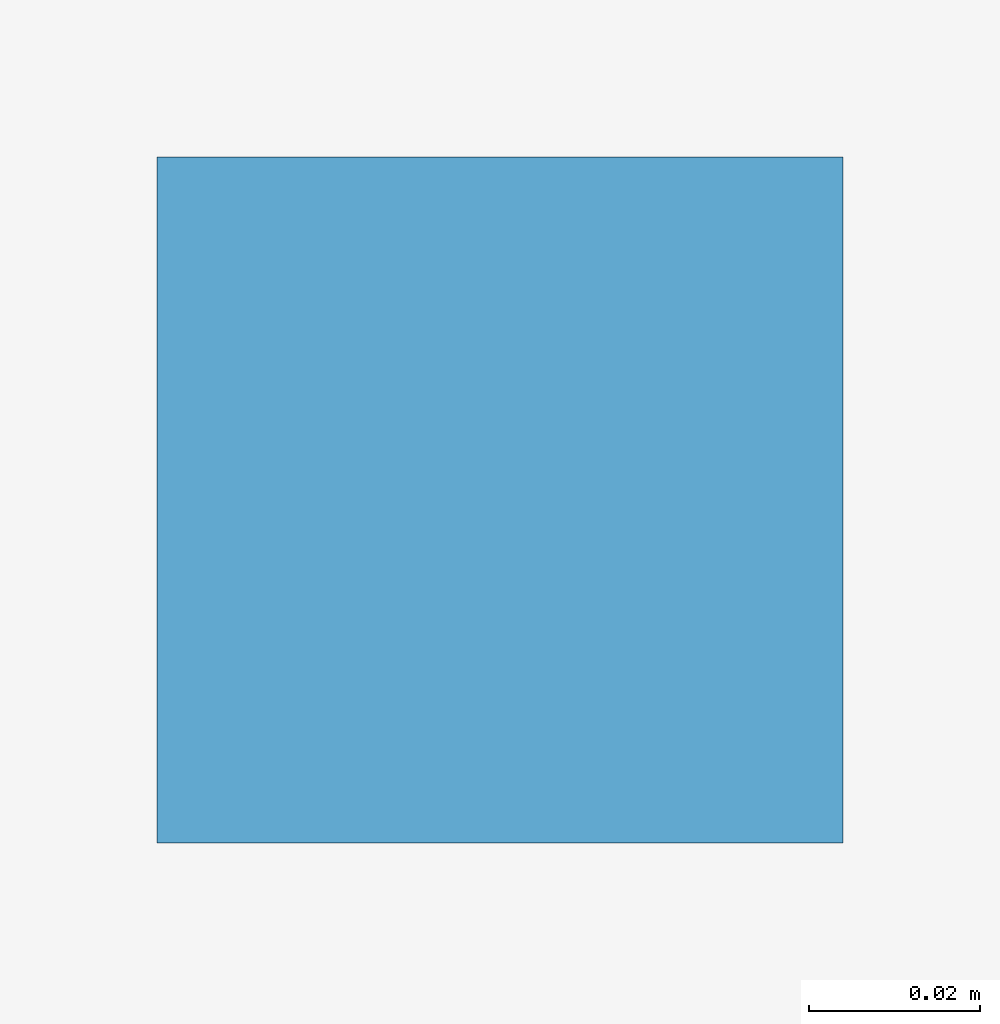
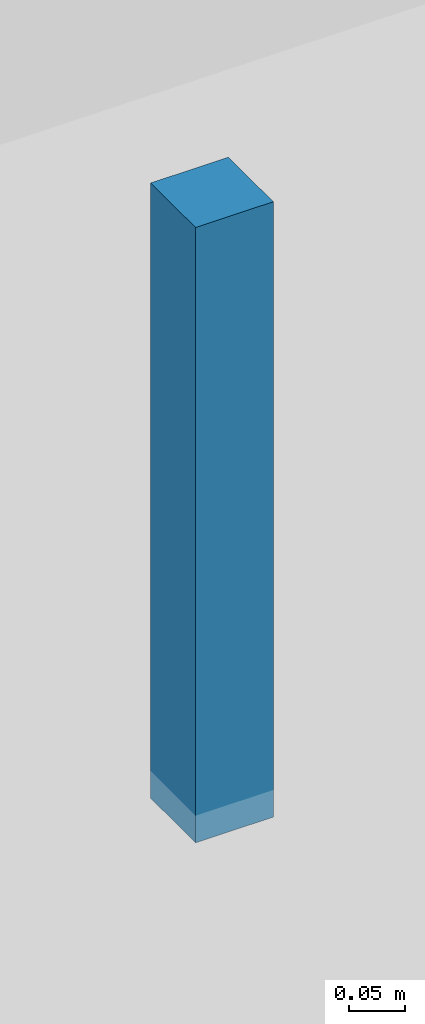
# One storey, part 11 of 16: 1 discrete accessory.
"""IFC4 building model written with IfcOpenShell, lengths in metres."""

import ifcopenshell
import ifcopenshell.guid

model = None  # the IFC model being written
_history = None  # IfcOwnerHistory: only IFC2X3 demands one
_inside = {}  # id of a spatial element -> (the spatial element, [elements in it])
_under = {}  # id of a project, library or spatial element -> (it, [spatial elements below it])
_declared = {}  # id of a project -> (the project, [libraries it declares])
_typed = {}  # id of a type object -> (the type object, [elements of that type])
_made_of = {}  # id of a material, layer set ... -> (it, [elements and type objects made of it])


def new_model(schema):
    """Start an empty IFC model of exactly this schema.

    Asked for "IFC4X3", IfcOpenShell would pick the latest addendum, in which some entities
    have other attributes; the version numbers below select the first issue.
    IFC2X3 requires an IfcOwnerHistory on every rooted entity: one is made here for all.
    """
    global model, _history
    if schema == "IFC4X3":
        model = ifcopenshell.file(schema_version=(4, 3, 0, 0))
    else:
        model = ifcopenshell.file(schema=schema)
    _inside.clear()
    _under.clear()
    _declared.clear()
    _typed.clear()
    _made_of.clear()
    _history = None
    if model.schema == "IFC2X3":
        org = make("IfcOrganization", Name="unknown")
        user = make(
            "IfcPersonAndOrganization",
            ThePerson=make("IfcPerson", FamilyName="unknown"),
            TheOrganization=org,
        )
        app = make(
            "IfcApplication",
            ApplicationDeveloper=org,
            Version="unknown",
            ApplicationFullName="unknown",
            ApplicationIdentifier="unknown",
        )
        _history = make(
            "IfcOwnerHistory",
            OwningUser=user,
            OwningApplication=app,
            ChangeAction="ADDED",
            CreationDate=0,
        )
    return model


def make(cls, **values):
    """One entity of the class cls with the attributes given. An attribute that is None is left unset."""
    return model.create_entity(
        cls, **{name: value for name, value in values.items() if value is not None}
    )


def rooted(cls, **values):
    """An entity with a GlobalId (a new one), such as an element, a storey or a relation."""
    return make(cls, GlobalId=ifcopenshell.guid.new(), OwnerHistory=_history, **values)


def si_unit(unit_type, name, prefix=None):
    """IfcSIUnit, for example si_unit("LENGTHUNIT", "METRE", prefix="MILLI")."""
    return make("IfcSIUnit", UnitType=unit_type, Prefix=prefix, Name=name)


def assignment(units):
    """IfcUnitAssignment: the units of a project."""
    return None if units is None else make("IfcUnitAssignment", Units=units)


def point(xyz):
    """IfcCartesianPoint."""
    return None if xyz is None else make("IfcCartesianPoint", Coordinates=xyz)


def direction(xyz):
    """IfcDirection."""
    return None if xyz is None else make("IfcDirection", DirectionRatios=xyz)


def frame(location, z_axis=None, x_axis=None):
    """IfcAxis2Placement3D, a coordinate frame: its origin and axes. An axis left out is left unset."""
    return make(
        "IfcAxis2Placement3D",
        Location=point(location),
        Axis=direction(z_axis),
        RefDirection=direction(x_axis),
    )


def frame_2d(location, x_axis=None):
    """IfcAxis2Placement2D, a coordinate frame in the plane: its origin and x axis."""
    return make(
        "IfcAxis2Placement2D", Location=point(location), RefDirection=direction(x_axis)
    )


def origin():
    """The frame at (0, 0, 0) with its axes left unset."""
    return frame((0.0, 0.0, 0.0))


def origin_2d():
    """The frame at (0, 0) in the plane with its x axis left unset."""
    return frame_2d((0.0, 0.0))


def place(relative_to, where):
    """IfcLocalPlacement: puts the frame where relative to a parent placement (None: the world)."""
    return make(
        "IfcLocalPlacement", PlacementRelTo=relative_to, RelativePlacement=where
    )


def context(
    kind, dimensions, precision=None, world=None, true_north=None, identifier=None
):
    """IfcGeometricRepresentationContext, for example the 3D "Model" context."""
    return make(
        "IfcGeometricRepresentationContext",
        ContextIdentifier=identifier,
        ContextType=kind,
        CoordinateSpaceDimension=dimensions,
        Precision=precision,
        WorldCoordinateSystem=world,
        TrueNorth=true_north,
    )


def subcontext(parent, identifier, kind, view, scale=None):
    """IfcGeometricRepresentationSubContext, for example "Body" below "Model"."""
    return make(
        "IfcGeometricRepresentationSubContext",
        ContextIdentifier=identifier,
        ContextType=kind,
        ParentContext=parent,
        TargetScale=scale,
        TargetView=view,
    )


def project(units=None, contexts=None):
    """IfcProject with its units and contexts."""
    return rooted(
        "IfcProject",
        Name="project",
        RepresentationContexts=contexts,
        UnitsInContext=assignment(units),
    )


def spatial(cls, under=None, at=None, **own):
    """A site, building, storey or space (cls), placed at a placement, below another one or the project."""
    s = rooted(cls, ObjectPlacement=at, **own)
    if under is not None:
        _under.setdefault(under.id(), (under, []))[1].append(s)
    return s


def profile(cls, at=None, kind="AREA", **sizes):
    """A parametric profile (cls). Its sizes go by their IFC names, for example OverallWidth=200.0."""
    return make(cls, ProfileType=kind, Position=at, **sizes)


def rectangle(**sizes):
    """IfcRectangleProfileDef."""
    return profile("IfcRectangleProfileDef", **sizes)


def extrude(swept, where, along, depth):
    """IfcExtrudedAreaSolid: the profile swept, set in the frame where, extruded along a direction by depth."""
    return make(
        "IfcExtrudedAreaSolid",
        SweptArea=swept,
        Position=where,
        ExtrudedDirection=direction(along),
        Depth=depth,
    )


def shape(context_of_items, identifier, shape_type, items):
    """IfcShapeRepresentation: the items that make up one representation, for example the "Body"."""
    return make(
        "IfcShapeRepresentation",
        ContextOfItems=context_of_items,
        RepresentationIdentifier=identifier,
        RepresentationType=shape_type,
        Items=items,
    )


def source(mapping_origin, context_of_items, identifier, shape_type, items):
    """IfcRepresentationMap: a shape defined once, which mapped items show again and again."""
    return make(
        "IfcRepresentationMap",
        MappingOrigin=mapping_origin,
        MappedRepresentation=shape(context_of_items, identifier, shape_type, items),
    )


def transform(
    local_origin,
    x_axis=None,
    y_axis=None,
    z_axis=None,
    scale=None,
    scale2=None,
    scale3=None,
    uniform=True,
):
    """IfcCartesianTransformationOperator3D, or its non-uniform kind. x_axis, y_axis, z_axis: its Axis1, 2, 3."""
    if uniform:
        return make(
            "IfcCartesianTransformationOperator3D",
            Axis1=direction(x_axis),
            Axis2=direction(y_axis),
            LocalOrigin=point(local_origin),
            Scale=scale,
            Axis3=direction(z_axis),
        )
    return make(
        "IfcCartesianTransformationOperator3DnonUniform",
        Axis1=direction(x_axis),
        Axis2=direction(y_axis),
        LocalOrigin=point(local_origin),
        Scale=scale,
        Axis3=direction(z_axis),
        Scale2=scale2,
        Scale3=scale3,
    )


def mapped(mapping_source, mapping_target):
    """IfcMappedItem: shows the shape of a source again, moved by a transform."""
    return make(
        "IfcMappedItem", MappingSource=mapping_source, MappingTarget=mapping_target
    )


def material(Name=None, Category=None):
    """IfcMaterial."""
    return make("IfcMaterial", Name=Name, Category=Category)


def made_of(thing, what):
    """Note that an element or type object is made of a material, layer set ...; save() writes the relation."""
    if what is not None:
        _made_of.setdefault(what.id(), (what, []))[1].append(thing)
    return thing


def type_object(cls, material=None, **own):
    """A type object (cls), such as IfcWallType, which elements share."""
    return made_of(rooted(cls, **own), material)


def element(
    cls,
    number,
    at=None,
    inside=None,
    cuts=None,
    type_object=None,
    material=None,
    context=None,
    identifier="Body",
    shape_type=None,
    held_by="IfcProductDefinitionShape",
    body=None,
    shapes=None,
    **own,
):
    """One element of the class cls, such as IfcWall. Its Tag is "e" and its number.

    at: its placement. inside: the storey or other place that contains it. cuts: it is an
    opening in that element (IfcRelVoidsElement). A single representation is given by context,
    identifier, shape_type and body (its items); several are given by shapes. held_by: the class
    of the entity that holds the representations. save() writes the other relations.
    """
    e = rooted(cls, Tag="e%d" % number, ObjectPlacement=at, **own)
    if body is not None:
        shapes = [shape(context, identifier, shape_type, body)]
    if shapes is not None:
        e.Representation = make(held_by, Representations=shapes)
    if inside is not None:
        _inside.setdefault(inside.id(), (inside, []))[1].append(e)
    if cuts is not None:
        rooted(
            "IfcRelVoidsElement", RelatingBuildingElement=cuts, RelatedOpeningElement=e
        )
    if type_object is not None:
        _typed.setdefault(type_object.id(), (type_object, []))[1].append(e)
    return made_of(e, material)


def aggregate(whole, parts):
    """IfcRelAggregates: a whole, such as a stair, and the parts it consists of."""
    return rooted("IfcRelAggregates", RelatingObject=whole, RelatedObjects=parts)


def save(model, path):
    """Write the relations noted so far, then the file.

    IfcRelAggregates (storeys below a building ...), IfcRelContainedInSpatialStructure (elements
    in a storey), IfcRelDefinesByType, IfcRelAssociatesMaterial and IfcRelDeclares: one each for
    every whole, place, type object, material and project.
    """
    for whole, parts in _under.values():
        aggregate(whole, parts)
    for where, things in _inside.values():
        rooted(
            "IfcRelContainedInSpatialStructure",
            RelatedElements=things,
            RelatingStructure=where,
        )
    for kind, things in _typed.values():
        rooted("IfcRelDefinesByType", RelatedObjects=things, RelatingType=kind)
    for what, things in _made_of.values():
        rooted("IfcRelAssociatesMaterial", RelatedObjects=things, RelatingMaterial=what)
    for by, libraries in _declared.values():
        rooted("IfcRelDeclares", RelatingContext=by, RelatedDefinitions=libraries)
    model.write(path)


model = new_model("IFC4")

# Units and contexts
model_context = context("Model", 3, precision=1e-05, world=origin(), true_north=direction((0.0, 1.0)))
body_context = subcontext(model_context, "Body", "Model", "MODEL_VIEW")
ifc_project = project(units=[si_unit("LENGTHUNIT", "METRE"), si_unit("AREAUNIT", "SQUARE_METRE"), si_unit("VOLUMEUNIT", "CUBIC_METRE"), si_unit("PLANEANGLEUNIT", "RADIAN"), si_unit("MASSUNIT", "GRAM", prefix="KILO")], contexts=[model_context])

# Site, building, storey
site_placement = place(None, origin())
site = spatial("IfcSite", under=ifc_project, at=site_placement, CompositionType="ELEMENT")
building_placement = place(site_placement, origin())
building = spatial("IfcBuilding", under=site, at=building_placement, Name="Giltprow Tower", CompositionType="ELEMENT")
storey_placement = place(building_placement, frame((0.0, 0.0, 166.699951171875)))
storey = spatial("IfcBuildingStorey", under=building, at=storey_placement, Name="L41", CompositionType="ELEMENT", Elevation=166.699951171875)

# Discrete accessory
ifc_material = material(Name="Structural steel Q355B", Category="steel")
discrete_accessory_type = type_object("IfcDiscreteAccessoryType", Name="ACC-CLG-HANGER", PredefinedType="BRACKET", material=ifc_material)
shared_shape = source(origin(), body_context, "Body", "SweptSolid", [
    extrude(rectangle(XDim=0.080078125, YDim=0.080078125, at=origin_2d()), origin(), (0.0, 0.0, 1.0), 0.669921875),
])
discrete_accessory_placement = place(storey_placement, frame((35.0, 36.0, 2.6201171875), z_axis=(0.0, 0.0, 1.0), x_axis=(1.0, 0.0, 0.0)))
element("IfcDiscreteAccessory", 1, at=discrete_accessory_placement, inside=storey, type_object=discrete_accessory_type, Name="L41 Hotel Corridor Gypsum Ceiling Suspension Hanger", PredefinedType="BRACKET", context=body_context, shape_type="MappedRepresentation", body=[
    mapped(shared_shape, transform((0.0, 0.0, 0.0), x_axis=(1.0, 0.0, 0.0), y_axis=(0.0, 1.0, 0.0), z_axis=(0.0, 0.0, 1.0), scale=1.0)),
])

save(model, "model.ifc")
